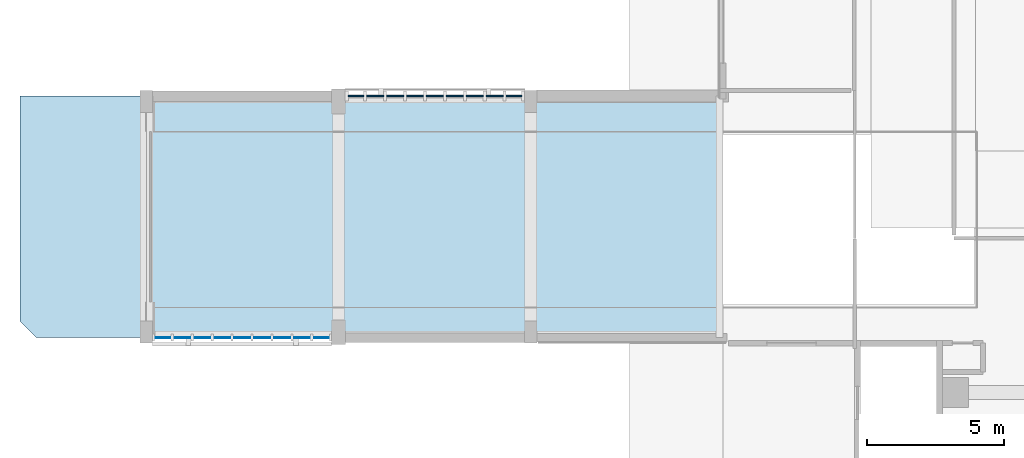
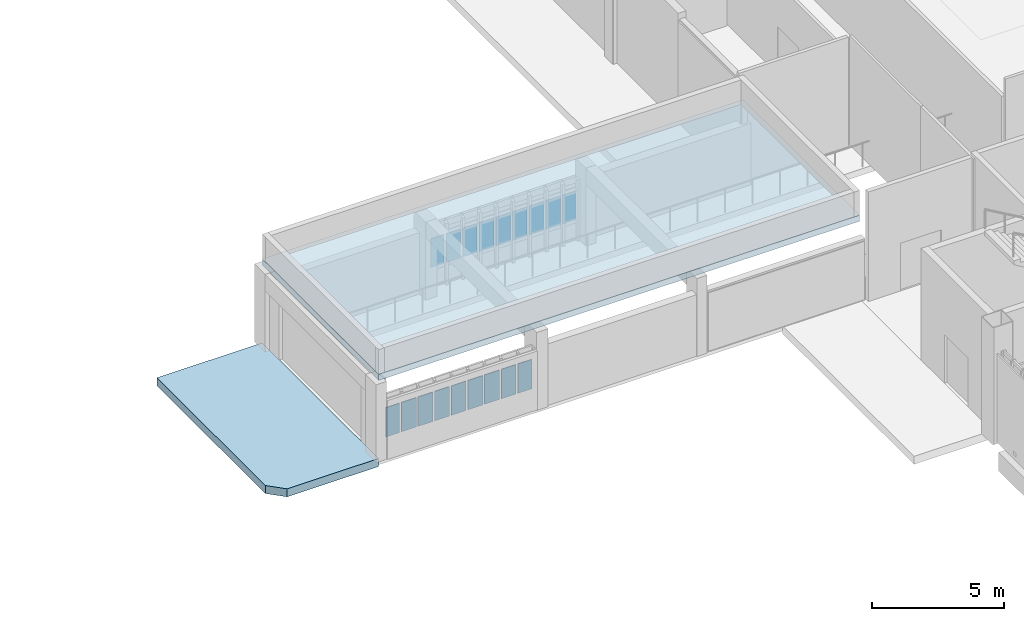
# One storey, part 55 of 111: 18 plates, 2 slabs, 2 elements without a shape of their own.
"""IFC4 building model written with IfcOpenShell, lengths in metres."""

from ifc_helpers import new_model, si_unit, direction, frame, origin, origin_2d, place, context, subcontext, project, spatial, polyline, rectangle, outline, extrude, material, layer, layer_set, type_object, element, aggregate, save


model = new_model("IFC4")

# Units and contexts
model_context = context("Model", 3, precision=1e-05, world=origin(), true_north=direction((0.0, 1.0)))
body_context = subcontext(model_context, "Body", "Model", "MODEL_VIEW")
ifc_project = project(units=[si_unit("LENGTHUNIT", "METRE"), si_unit("AREAUNIT", "SQUARE_METRE"), si_unit("VOLUMEUNIT", "CUBIC_METRE"), si_unit("PLANEANGLEUNIT", "RADIAN"), si_unit("MASSUNIT", "GRAM", prefix="KILO")], contexts=[model_context])

# Site, building, storey
site_placement = place(None, origin())
site = spatial("IfcSite", under=ifc_project, at=site_placement, CompositionType="ELEMENT")
building_placement = place(site_placement, origin())
building = spatial("IfcBuilding", under=site, at=building_placement, Name="Larkvane Passage Sports Hall", CompositionType="ELEMENT")
storey_placement = place(building_placement, origin())
storey = spatial("IfcBuildingStorey", under=building, at=storey_placement, Name="L00", CompositionType="ELEMENT", Elevation=0.0)

# Curtain wall, plates
ifc_material_1 = material(Name="Thermally broken aluminium and low-E glazing", Category="aluminium")
curtain_wall_type_1 = type_object("IfcCurtainWallType", Name="CW-STICK-FOYER", PredefinedType="USERDEFINED", material=ifc_material_1)
curtain_wall_1_placement = place(storey_placement, origin())
curtain_wall_1 = element("IfcCurtainWall", 1, at=curtain_wall_1_placement, inside=storey, type_object=curtain_wall_type_1, Name="Curtain wall CW5-L00-006", ObjectType="STICK CURTAIN WALL", PredefinedType="USERDEFINED")
ifc_material_2 = material(Name="High-impact court low-E glazing", Category="glass")
ifc_layer_1 = layer(ifc_material_2, 0.035888671875)
ifc_layer_set_1 = layer_set([ifc_layer_1], Name="High-impact court low-E glazing")
plate_type_1 = type_object("IfcPlateType", Name="CWP-VIS-36", PredefinedType="CURTAIN_PANEL", material=ifc_layer_set_1)
plate_1_placement = place(storey_placement, frame((20.171142578125, 33.199951171875, 0.89013671875), z_axis=(0.0, 0.0, 1.0), x_axis=(-1.0, 0.0, 0.0)))
plate_1 = element("IfcPlate", 2, at=plate_1_placement, type_object=plate_type_1, Name="CW-03 panel 1.2", PredefinedType="CURTAIN_PANEL", context=body_context, shape_type="SweptSolid", body=[
    extrude(rectangle(XDim=0.60595703125, YDim=0.035888671875, at=origin_2d()), origin(), (0.0, 0.0, 1.0), 1.35791015625),
])
plate_2_placement = place(storey_placement, frame((19.465087890625, 33.199951171875, 0.89013671875), z_axis=(0.0, 0.0, 1.0), x_axis=(-1.0, 0.0, 0.0)))
plate_2 = element("IfcPlate", 3, at=plate_2_placement, type_object=plate_type_1, Name="CW-03 panel 2.2", PredefinedType="CURTAIN_PANEL", context=body_context, shape_type="SweptSolid", body=[
    extrude(rectangle(XDim=0.64599609375, YDim=0.035888671875, at=origin_2d()), origin(), (0.0, 0.0, 1.0), 1.35791015625),
])
plate_3_placement = place(storey_placement, frame((18.7392578125, 33.199951171875, 0.89013671875), z_axis=(0.0, 0.0, 1.0), x_axis=(-1.0, 0.0, 0.0)))
plate_3 = element("IfcPlate", 4, at=plate_3_placement, type_object=plate_type_1, Name="CW-03 panel 3.2", PredefinedType="CURTAIN_PANEL", context=body_context, shape_type="SweptSolid", body=[
    extrude(rectangle(XDim=0.64599609375, YDim=0.035888671875, at=origin_2d()), origin(), (0.0, 0.0, 1.0), 1.35791015625),
])
plate_4_placement = place(storey_placement, frame((18.013427734375, 33.199951171875, 0.89013671875), z_axis=(0.0, 0.0, 1.0), x_axis=(-1.0, 0.0, 0.0)))
plate_4 = element("IfcPlate", 5, at=plate_4_placement, type_object=plate_type_1, Name="CW-03 panel 4.2", PredefinedType="CURTAIN_PANEL", context=body_context, shape_type="SweptSolid", body=[
    extrude(rectangle(XDim=0.64599609375, YDim=0.035888671875, at=origin_2d()), origin(), (0.0, 0.0, 1.0), 1.35791015625),
])
plate_5_placement = place(storey_placement, frame((17.28759765625, 33.199951171875, 0.89013671875), z_axis=(0.0, 0.0, 1.0), x_axis=(-1.0, 0.0, 0.0)))
plate_5 = element("IfcPlate", 6, at=plate_5_placement, type_object=plate_type_1, Name="CW-03 panel 5.2", PredefinedType="CURTAIN_PANEL", context=body_context, shape_type="SweptSolid", body=[
    extrude(rectangle(XDim=0.64599609375, YDim=0.035888671875, at=origin_2d()), origin(), (0.0, 0.0, 1.0), 1.35791015625),
])
plate_6_placement = place(storey_placement, frame((16.5615234375, 33.199951171875, 0.89013671875), z_axis=(0.0, 0.0, 1.0), x_axis=(-1.0, 0.0, 0.0)))
plate_6 = element("IfcPlate", 7, at=plate_6_placement, type_object=plate_type_1, Name="CW-03 panel 6.2", PredefinedType="CURTAIN_PANEL", context=body_context, shape_type="SweptSolid", body=[
    extrude(rectangle(XDim=0.64599609375, YDim=0.035888671875, at=origin_2d()), origin(), (0.0, 0.0, 1.0), 1.35791015625),
])
plate_7_placement = place(storey_placement, frame((15.835693359375, 33.199951171875, 0.89013671875), z_axis=(0.0, 0.0, 1.0), x_axis=(-1.0, 0.0, 0.0)))
plate_7 = element("IfcPlate", 8, at=plate_7_placement, type_object=plate_type_1, Name="CW-03 panel 7.2", PredefinedType="CURTAIN_PANEL", context=body_context, shape_type="SweptSolid", body=[
    extrude(rectangle(XDim=0.64599609375, YDim=0.035888671875, at=origin_2d()), origin(), (0.0, 0.0, 1.0), 1.35791015625),
])
plate_8_placement = place(storey_placement, frame((15.10986328125, 33.199951171875, 0.89013671875), z_axis=(0.0, 0.0, 1.0), x_axis=(-1.0, 0.0, 0.0)))
plate_8 = element("IfcPlate", 9, at=plate_8_placement, type_object=plate_type_1, Name="CW-03 panel 8.2", PredefinedType="CURTAIN_PANEL", context=body_context, shape_type="SweptSolid", body=[
    extrude(rectangle(XDim=0.64599609375, YDim=0.035888671875, at=origin_2d()), origin(), (0.0, 0.0, 1.0), 1.35791015625),
])
plate_9_placement = place(storey_placement, frame((14.404052734375, 33.199951171875, 0.89013671875), z_axis=(0.0, 0.0, 1.0), x_axis=(-1.0, 0.0, 0.0)))
plate_9 = element("IfcPlate", 10, at=plate_9_placement, type_object=plate_type_1, Name="CW-03 panel 9.2", PredefinedType="CURTAIN_PANEL", context=body_context, shape_type="SweptSolid", body=[
    extrude(rectangle(XDim=0.60595703125, YDim=0.035888671875, at=origin_2d()), origin(), (0.0, 0.0, 1.0), 1.35791015625),
])
aggregate(curtain_wall_1, [plate_1, plate_2, plate_3, plate_4, plate_5, plate_6, plate_7, plate_8, plate_9])

curtain_wall_type_2 = type_object("IfcCurtainWallType", Name="CW-CLINIC", PredefinedType="USERDEFINED", material=ifc_material_1)
curtain_wall_2_placement = place(storey_placement, origin())
curtain_wall_2 = element("IfcCurtainWall", 11, at=curtain_wall_2_placement, inside=storey, type_object=curtain_wall_type_2, Name="Curtain wall CW5-L00-007", ObjectType="UNITISED CURTAIN WALL", PredefinedType="USERDEFINED")
ifc_material_3 = material(Name="Triple-laminated typhoon glazing", Category="glass")
ifc_layer_2 = layer(ifc_material_3, 0.0419921875)
ifc_layer_set_2 = layer_set([ifc_layer_2], Name="Triple-laminated typhoon glazing")
plate_type_2 = type_object("IfcPlateType", Name="CWP-VIS-42", PredefinedType="CURTAIN_PANEL", material=ifc_layer_set_2)
plate_10_placement = place(storey_placement, frame((21.4365234375, 42.0, 0.9052734375), z_axis=(0.0, 0.0, 1.0), x_axis=(1.0, 0.0, 0.0)))
plate_10 = element("IfcPlate", 12, at=plate_10_placement, type_object=plate_type_2, Name="CW-05 panel 1.2", PredefinedType="CURTAIN_PANEL", context=body_context, shape_type="SweptSolid", body=[
    extrude(rectangle(XDim=0.560791015625, YDim=0.0419921875, at=origin_2d()), origin(), (0.0, 0.0, 1.0), 1.327880859375),
])
plate_11_placement = place(storey_placement, frame((22.134765625, 42.0, 0.9052734375), z_axis=(0.0, 0.0, 1.0), x_axis=(1.0, 0.0, 0.0)))
plate_11 = element("IfcPlate", 13, at=plate_11_placement, type_object=plate_type_2, Name="CW-05 panel 2.2", PredefinedType="CURTAIN_PANEL", context=body_context, shape_type="SweptSolid", body=[
    extrude(rectangle(XDim=0.615966796875, YDim=0.0419921875, at=origin_2d()), origin(), (0.0, 0.0, 1.0), 1.327880859375),
])
plate_12_placement = place(storey_placement, frame((22.86083984375, 42.0, 0.9052734375), z_axis=(0.0, 0.0, 1.0), x_axis=(1.0, 0.0, 0.0)))
plate_12 = element("IfcPlate", 14, at=plate_12_placement, type_object=plate_type_2, Name="CW-05 panel 3.2", PredefinedType="CURTAIN_PANEL", context=body_context, shape_type="SweptSolid", body=[
    extrude(rectangle(XDim=0.615966796875, YDim=0.0419921875, at=origin_2d()), origin(), (0.0, 0.0, 1.0), 1.327880859375),
])
plate_13_placement = place(storey_placement, frame((23.586669921875, 42.0, 0.9052734375), z_axis=(0.0, 0.0, 1.0), x_axis=(1.0, 0.0, 0.0)))
plate_13 = element("IfcPlate", 15, at=plate_13_placement, type_object=plate_type_2, Name="CW-05 panel 4.2", PredefinedType="CURTAIN_PANEL", context=body_context, shape_type="SweptSolid", body=[
    extrude(rectangle(XDim=0.615966796875, YDim=0.0419921875, at=origin_2d()), origin(), (0.0, 0.0, 1.0), 1.327880859375),
])
plate_14_placement = place(storey_placement, frame((24.3125, 42.0, 0.9052734375), z_axis=(0.0, 0.0, 1.0), x_axis=(1.0, 0.0, 0.0)))
plate_14 = element("IfcPlate", 16, at=plate_14_placement, type_object=plate_type_2, Name="CW-05 panel 5.2", PredefinedType="CURTAIN_PANEL", context=body_context, shape_type="SweptSolid", body=[
    extrude(rectangle(XDim=0.615966796875, YDim=0.0419921875, at=origin_2d()), origin(), (0.0, 0.0, 1.0), 1.327880859375),
])
plate_15_placement = place(storey_placement, frame((25.038330078125, 42.0, 0.9052734375), z_axis=(0.0, 0.0, 1.0), x_axis=(1.0, 0.0, 0.0)))
plate_15 = element("IfcPlate", 17, at=plate_15_placement, type_object=plate_type_2, Name="CW-05 panel 6.2", PredefinedType="CURTAIN_PANEL", context=body_context, shape_type="SweptSolid", body=[
    extrude(rectangle(XDim=0.615966796875, YDim=0.0419921875, at=origin_2d()), origin(), (0.0, 0.0, 1.0), 1.327880859375),
])
plate_16_placement = place(storey_placement, frame((25.76416015625, 42.0, 0.9052734375), z_axis=(0.0, 0.0, 1.0), x_axis=(1.0, 0.0, 0.0)))
plate_16 = element("IfcPlate", 18, at=plate_16_placement, type_object=plate_type_2, Name="CW-05 panel 7.2", PredefinedType="CURTAIN_PANEL", context=body_context, shape_type="SweptSolid", body=[
    extrude(rectangle(XDim=0.615966796875, YDim=0.0419921875, at=origin_2d()), origin(), (0.0, 0.0, 1.0), 1.327880859375),
])
plate_17_placement = place(storey_placement, frame((26.490234375, 42.0, 0.9052734375), z_axis=(0.0, 0.0, 1.0), x_axis=(1.0, 0.0, 0.0)))
plate_17 = element("IfcPlate", 19, at=plate_17_placement, type_object=plate_type_2, Name="CW-05 panel 8.2", PredefinedType="CURTAIN_PANEL", context=body_context, shape_type="SweptSolid", body=[
    extrude(rectangle(XDim=0.615966796875, YDim=0.0419921875, at=origin_2d()), origin(), (0.0, 0.0, 1.0), 1.327880859375),
])
plate_18_placement = place(storey_placement, frame((27.1884765625, 42.0, 0.9052734375), z_axis=(0.0, 0.0, 1.0), x_axis=(1.0, 0.0, 0.0)))
plate_18 = element("IfcPlate", 20, at=plate_18_placement, type_object=plate_type_2, Name="CW-05 panel 9.2", PredefinedType="CURTAIN_PANEL", context=body_context, shape_type="SweptSolid", body=[
    extrude(rectangle(XDim=0.560791015625, YDim=0.0419921875, at=origin_2d()), origin(), (0.0, 0.0, 1.0), 1.327880859375),
])
aggregate(curtain_wall_2, [plate_10, plate_11, plate_12, plate_13, plate_14, plate_15, plate_16, plate_17, plate_18])

# Slabs
ifc_material_4 = material(Name="Concrete C40/50", Category="concrete")
ifc_layer_3 = layer(ifc_material_4, 0.280029296875)
ifc_layer_set_3 = layer_set([ifc_layer_3], Name="Concrete C40/50")
slab_type_1 = type_object("IfcSlabType", Name="SLB-ROOF-200", PredefinedType="ROOF", material=ifc_layer_set_3)
slab_1_placement = place(storey_placement, frame((0.0, 0.0, 3.60009765625)))
element("IfcSlab", 21, at=slab_1_placement, inside=storey, type_object=slab_type_1, Name="Vehicle ramp portal canopy roof slab", PredefinedType="ROOF", context=body_context, shape_type="SweptSolid", body=[
    extrude(outline(polyline([(13.800048828125, 33.199951171875), (34.800048828125, 33.199951171875), (34.800048828125, 42.0), (13.800048828125, 42.0), (13.800048828125, 33.199951171875)])), origin(), (0.0, 0.0, 1.0), 0.27978515625),
])
ifc_layer_4 = layer(ifc_material_4, 0.3701171875)
ifc_layer_set_4 = layer_set([ifc_layer_4], Name="Concrete C40/50")
slab_type_2 = type_object("IfcSlabType", Name="SLB-TER-215", PredefinedType="FLOOR", material=ifc_layer_set_4)
slab_2_placement = place(storey_placement, frame((0.0, 0.0, -0.3701171875)))
element("IfcSlab", 22, at=slab_2_placement, inside=storey, type_object=slab_type_2, Name="Exterior terrace deck SLAB-EXT-L00-APRON", PredefinedType="FLOOR", context=body_context, shape_type="SweptSolid", body=[
    extrude(outline(polyline([(9.199951171875, 33.800048828125), (9.800048828125, 33.199951171875), (13.800048828125, 33.199951171875), (13.800048828125, 42.0), (9.199951171875, 42.0), (9.199951171875, 33.800048828125)])), origin(), (0.0, 0.0, 1.0), 0.3701171875),
])

save(model, "model.ifc")
